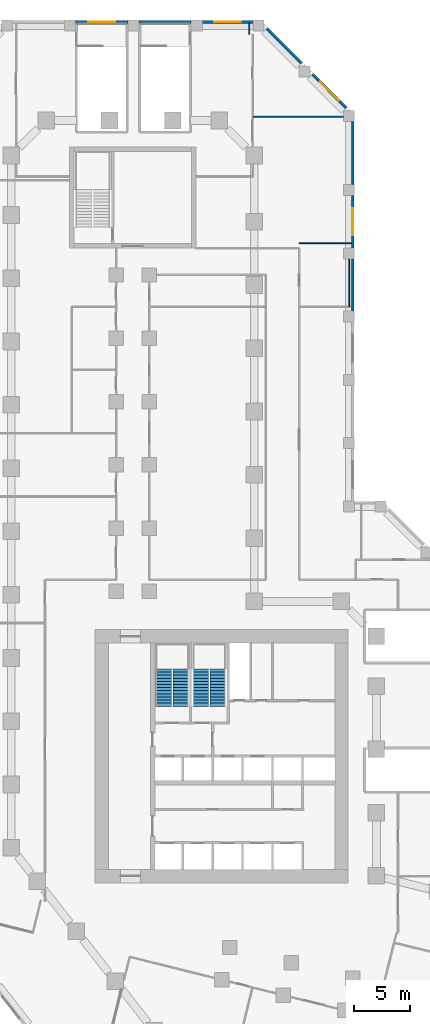
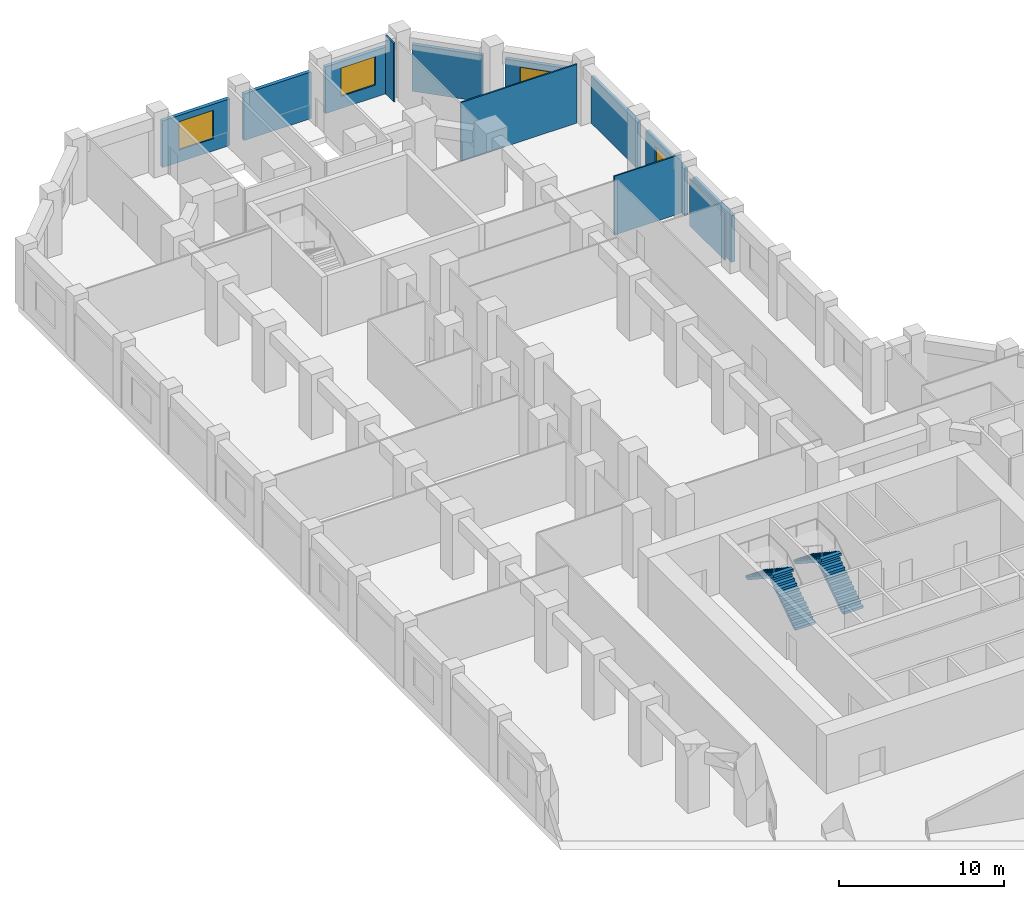
# One storey, part 11 of 13: 12 walls, 4 stair flights, 4 windows, 4 openings, 2 elements without a shape of their own.
"""IFC4 building model written with IfcOpenShell, lengths in metres."""

import ifcopenshell
import ifcopenshell.guid

model = None  # the IFC model being written
_history = None  # IfcOwnerHistory: only IFC2X3 demands one
_inside = {}  # id of a spatial element -> (the spatial element, [elements in it])
_under = {}  # id of a project, library or spatial element -> (it, [spatial elements below it])
_declared = {}  # id of a project -> (the project, [libraries it declares])
_typed = {}  # id of a type object -> (the type object, [elements of that type])
_made_of = {}  # id of a material, layer set ... -> (it, [elements and type objects made of it])


def new_model(schema):
    """Start an empty IFC model of exactly this schema.

    Asked for "IFC4X3", IfcOpenShell would pick the latest addendum, in which some entities
    have other attributes; the version numbers below select the first issue.
    IFC2X3 requires an IfcOwnerHistory on every rooted entity: one is made here for all.
    """
    global model, _history
    if schema == "IFC4X3":
        model = ifcopenshell.file(schema_version=(4, 3, 0, 0))
    else:
        model = ifcopenshell.file(schema=schema)
    _inside.clear()
    _under.clear()
    _declared.clear()
    _typed.clear()
    _made_of.clear()
    _history = None
    if model.schema == "IFC2X3":
        org = make("IfcOrganization", Name="unknown")
        user = make(
            "IfcPersonAndOrganization",
            ThePerson=make("IfcPerson", FamilyName="unknown"),
            TheOrganization=org,
        )
        app = make(
            "IfcApplication",
            ApplicationDeveloper=org,
            Version="unknown",
            ApplicationFullName="unknown",
            ApplicationIdentifier="unknown",
        )
        _history = make(
            "IfcOwnerHistory",
            OwningUser=user,
            OwningApplication=app,
            ChangeAction="ADDED",
            CreationDate=0,
        )
    return model


def make(cls, **values):
    """One entity of the class cls with the attributes given. An attribute that is None is left unset."""
    return model.create_entity(
        cls, **{name: value for name, value in values.items() if value is not None}
    )


def rooted(cls, **values):
    """An entity with a GlobalId (a new one), such as an element, a storey or a relation."""
    return make(cls, GlobalId=ifcopenshell.guid.new(), OwnerHistory=_history, **values)


def si_unit(unit_type, name, prefix=None):
    """IfcSIUnit, for example si_unit("LENGTHUNIT", "METRE", prefix="MILLI")."""
    return make("IfcSIUnit", UnitType=unit_type, Prefix=prefix, Name=name)


def assignment(units):
    """IfcUnitAssignment: the units of a project."""
    return None if units is None else make("IfcUnitAssignment", Units=units)


def point(xyz):
    """IfcCartesianPoint."""
    return None if xyz is None else make("IfcCartesianPoint", Coordinates=xyz)


def direction(xyz):
    """IfcDirection."""
    return None if xyz is None else make("IfcDirection", DirectionRatios=xyz)


def frame(location, z_axis=None, x_axis=None):
    """IfcAxis2Placement3D, a coordinate frame: its origin and axes. An axis left out is left unset."""
    return make(
        "IfcAxis2Placement3D",
        Location=point(location),
        Axis=direction(z_axis),
        RefDirection=direction(x_axis),
    )


def frame_2d(location, x_axis=None):
    """IfcAxis2Placement2D, a coordinate frame in the plane: its origin and x axis."""
    return make(
        "IfcAxis2Placement2D", Location=point(location), RefDirection=direction(x_axis)
    )


def origin():
    """The frame at (0, 0, 0) with its axes left unset."""
    return frame((0.0, 0.0, 0.0))


def place(relative_to, where):
    """IfcLocalPlacement: puts the frame where relative to a parent placement (None: the world)."""
    return make(
        "IfcLocalPlacement", PlacementRelTo=relative_to, RelativePlacement=where
    )


def context(
    kind, dimensions, precision=None, world=None, true_north=None, identifier=None
):
    """IfcGeometricRepresentationContext, for example the 3D "Model" context."""
    return make(
        "IfcGeometricRepresentationContext",
        ContextIdentifier=identifier,
        ContextType=kind,
        CoordinateSpaceDimension=dimensions,
        Precision=precision,
        WorldCoordinateSystem=world,
        TrueNorth=true_north,
    )


def subcontext(parent, identifier, kind, view, scale=None):
    """IfcGeometricRepresentationSubContext, for example "Body" below "Model"."""
    return make(
        "IfcGeometricRepresentationSubContext",
        ContextIdentifier=identifier,
        ContextType=kind,
        ParentContext=parent,
        TargetScale=scale,
        TargetView=view,
    )


def project(units=None, contexts=None):
    """IfcProject with its units and contexts."""
    return rooted(
        "IfcProject",
        Name="project",
        RepresentationContexts=contexts,
        UnitsInContext=assignment(units),
    )


def spatial(cls, under=None, at=None, **own):
    """A site, building, storey or space (cls), placed at a placement, below another one or the project."""
    s = rooted(cls, ObjectPlacement=at, **own)
    if under is not None:
        _under.setdefault(under.id(), (under, []))[1].append(s)
    return s


def polyline(points):
    """IfcPolyline through the points."""
    return make("IfcPolyline", Points=[point(p) for p in points])


def profile(cls, at=None, kind="AREA", **sizes):
    """A parametric profile (cls). Its sizes go by their IFC names, for example OverallWidth=200.0."""
    return make(cls, ProfileType=kind, Position=at, **sizes)


def rectangle(**sizes):
    """IfcRectangleProfileDef."""
    return profile("IfcRectangleProfileDef", **sizes)


def outline(outer, holes=None, kind="AREA"):
    """IfcArbitraryClosedProfileDef: a profile drawn as a closed curve; with holes, ...WithVoids."""
    if holes is None:
        return make("IfcArbitraryClosedProfileDef", ProfileType=kind, OuterCurve=outer)
    return make(
        "IfcArbitraryProfileDefWithVoids",
        ProfileType=kind,
        OuterCurve=outer,
        InnerCurves=holes,
    )


def extrude(swept, where, along, depth):
    """IfcExtrudedAreaSolid: the profile swept, set in the frame where, extruded along a direction by depth."""
    return make(
        "IfcExtrudedAreaSolid",
        SweptArea=swept,
        Position=where,
        ExtrudedDirection=direction(along),
        Depth=depth,
    )


def shape(context_of_items, identifier, shape_type, items):
    """IfcShapeRepresentation: the items that make up one representation, for example the "Body"."""
    return make(
        "IfcShapeRepresentation",
        ContextOfItems=context_of_items,
        RepresentationIdentifier=identifier,
        RepresentationType=shape_type,
        Items=items,
    )


def material(Name=None, Category=None):
    """IfcMaterial."""
    return make("IfcMaterial", Name=Name, Category=Category)


def layer(
    of_material, thickness, ventilated=None, Name=None, Category=None, Priority=None
):
    """IfcMaterialLayer: one layer of a wall or slab, of a material (None: an air gap)."""
    return make(
        "IfcMaterialLayer",
        Material=of_material,
        LayerThickness=thickness,
        IsVentilated=ventilated,
        Name=Name,
        Category=Category,
        Priority=Priority,
    )


def layer_set(layers, Name=None):
    """IfcMaterialLayerSet."""
    return make("IfcMaterialLayerSet", MaterialLayers=layers, LayerSetName=Name)


def made_of(thing, what):
    """Note that an element or type object is made of a material, layer set ...; save() writes the relation."""
    if what is not None:
        _made_of.setdefault(what.id(), (what, []))[1].append(thing)
    return thing


def type_object(cls, material=None, **own):
    """A type object (cls), such as IfcWallType, which elements share."""
    return made_of(rooted(cls, **own), material)


def element(
    cls,
    number,
    at=None,
    inside=None,
    cuts=None,
    type_object=None,
    material=None,
    context=None,
    identifier="Body",
    shape_type=None,
    held_by="IfcProductDefinitionShape",
    body=None,
    shapes=None,
    **own,
):
    """One element of the class cls, such as IfcWall. Its Tag is "e" and its number.

    at: its placement. inside: the storey or other place that contains it. cuts: it is an
    opening in that element (IfcRelVoidsElement). A single representation is given by context,
    identifier, shape_type and body (its items); several are given by shapes. held_by: the class
    of the entity that holds the representations. save() writes the other relations.
    """
    e = rooted(cls, Tag="e%d" % number, ObjectPlacement=at, **own)
    if body is not None:
        shapes = [shape(context, identifier, shape_type, body)]
    if shapes is not None:
        e.Representation = make(held_by, Representations=shapes)
    if inside is not None:
        _inside.setdefault(inside.id(), (inside, []))[1].append(e)
    if cuts is not None:
        rooted(
            "IfcRelVoidsElement", RelatingBuildingElement=cuts, RelatedOpeningElement=e
        )
    if type_object is not None:
        _typed.setdefault(type_object.id(), (type_object, []))[1].append(e)
    return made_of(e, material)


def fill(opening, filler):
    """IfcRelFillsElement: the door or window that sits in an opening."""
    return rooted(
        "IfcRelFillsElement",
        RelatingOpeningElement=opening,
        RelatedBuildingElement=filler,
    )


def aggregate(whole, parts):
    """IfcRelAggregates: a whole, such as a stair, and the parts it consists of."""
    return rooted("IfcRelAggregates", RelatingObject=whole, RelatedObjects=parts)


def save(model, path):
    """Write the relations noted so far, then the file.

    IfcRelAggregates (storeys below a building ...), IfcRelContainedInSpatialStructure (elements
    in a storey), IfcRelDefinesByType, IfcRelAssociatesMaterial and IfcRelDeclares: one each for
    every whole, place, type object, material and project.
    """
    for whole, parts in _under.values():
        aggregate(whole, parts)
    for where, things in _inside.values():
        rooted(
            "IfcRelContainedInSpatialStructure",
            RelatedElements=things,
            RelatingStructure=where,
        )
    for kind, things in _typed.values():
        rooted("IfcRelDefinesByType", RelatedObjects=things, RelatingType=kind)
    for what, things in _made_of.values():
        rooted("IfcRelAssociatesMaterial", RelatedObjects=things, RelatingMaterial=what)
    for by, libraries in _declared.values():
        rooted("IfcRelDeclares", RelatingContext=by, RelatedDefinitions=libraries)
    model.write(path)


model = new_model("IFC4")

# Units and contexts
model_context = context("Model", 3, precision=1e-05, world=origin(), true_north=direction((0.0, 1.0)))
body_context = subcontext(model_context, "Body", "Model", "MODEL_VIEW")
ifc_project = project(units=[si_unit("LENGTHUNIT", "METRE"), si_unit("AREAUNIT", "SQUARE_METRE"), si_unit("VOLUMEUNIT", "CUBIC_METRE"), si_unit("PLANEANGLEUNIT", "RADIAN"), si_unit("MASSUNIT", "GRAM", prefix="KILO")], contexts=[model_context])

# Site, building, storey
site_placement = place(None, origin())
site = spatial("IfcSite", under=ifc_project, at=site_placement, CompositionType="ELEMENT")
building_placement = place(site_placement, origin())
building = spatial("IfcBuilding", under=site, at=building_placement, Name="Meshkara Civic Tower", CompositionType="ELEMENT")
storey_placement = place(building_placement, frame((0.0, 0.0, 28.199951171875)))
storey = spatial("IfcBuildingStorey", under=building, at=storey_placement, Name="L05", CompositionType="ELEMENT", Elevation=28.199951171875)

# Wall
ifc_material_1 = material(Name="Corridor wall 100")
ifc_layer_1 = layer(ifc_material_1, 0.10009765625)
ifc_layer_set_1 = layer_set([ifc_layer_1], Name="Corridor wall 100")
wall_type_1 = type_object("IfcWallType", Name="Corridor wall 100", PredefinedType="PARTITIONING", material=ifc_layer_set_1)
wall_1_placement = place(storey_placement, frame((21.89990234375, 90.52001953125, 0.0), z_axis=(0.0, 0.0, 1.0), x_axis=(0.0, 1.0, 0.0)))
element("IfcWall", 1, at=wall_1_placement, inside=storey, type_object=wall_type_1, Name="L05-R033", PredefinedType="PARTITIONING", context=body_context, shape_type="SweptSolid", body=[
    extrude(rectangle(XDim=1.0, YDim=0.10009765625, at=frame_2d((0.5, 0.0))), origin(), (0.0, 0.0, 1.0), 4.35009765625),
])

# Wall, opening, window
ifc_material_2 = material(Name="Stone cladding on insulated backing wall", Category="masonry")
ifc_layer_2 = layer(ifc_material_2, 0.25)
ifc_layer_set_2 = layer_set([ifc_layer_2], Name="PODIUM STONE WALL 250")
wall_type_2 = type_object("IfcWallType", Name="PODIUM STONE WALL 250", PredefinedType="SOLIDWALL", material=ifc_layer_set_2)
wall_2_placement = place(storey_placement, frame((30.6298828125, 83.885986328125, 0.0), z_axis=(0.0, 0.0, 1.0), x_axis=(-0.707078301545, 0.707135259681, 0.0)))
wall_2 = element("IfcWall", 2, at=wall_2_placement, inside=storey, type_object=wall_type_2, Name="Podium external wall", PredefinedType="SOLIDWALL", context=body_context, shape_type="SweptSolid", body=[
    extrude(rectangle(XDim=4.286376953125, YDim=0.25, at=frame_2d((2.14306640625, 0.0))), origin(), (0.0, 0.0, 1.0), 3.449951171875),
])
opening_1_placement = place(wall_2_placement, frame((0.943115234375, 0.0, 0.89990234375)))
opening_1 = element("IfcOpeningElement", 3, at=opening_1_placement, cuts=wall_2, Name="Opening PW10", PredefinedType="OPENING", context=body_context, shape_type="SweptSolid", body=[
    extrude(rectangle(XDim=2.39990234375, YDim=2.10009765625, at=frame_2d((1.199951171875, 1.050048828125))), frame((0.0, 0.135009765625, 0.0), z_axis=(0.0, -1.0, 0.0), x_axis=(1.0, 0.0, 0.0)), (0.0, 0.0, 1.0), 0.27001953125),
])
ifc_material_3 = material(Name="Tinted double glazing", Category="glass")
window_type = type_object("IfcWindowType", Name="PODIUM WINDOW 2400x2100", PartitioningType="DOUBLE_PANEL_VERTICAL", PredefinedType="WINDOW", material=ifc_material_3)
window_1_placement = place(opening_1_placement, origin())
window_1 = element("IfcWindow", 4, at=window_1_placement, inside=storey, type_object=window_type, Name="Podium window", OverallHeight=2.10009765625, OverallWidth=2.39990234375, PartitioningType="DOUBLE_PANEL_VERTICAL", PredefinedType="WINDOW", context=body_context, shape_type="SweptSolid", body=[
    extrude(rectangle(XDim=2.39990234375, YDim=2.10009765625, at=frame_2d((1.199951171875, 1.050048828125))), frame((0.0, 0.030029296875, 0.0), z_axis=(0.0, -1.0, 0.0), x_axis=(1.0, 0.0, 0.0)), (0.0, 0.0, 1.0), 0.06005859375),
])
fill(opening_1, window_1)

# Wall
wall_3_placement = place(storey_placement, frame((26.59912109375, 87.9169921875, 0.0), z_axis=(0.0, 0.0, 1.0), x_axis=(-0.707106781187, 0.707106781187, 0.0)))
element("IfcWall", 5, at=wall_3_placement, inside=storey, type_object=wall_type_2, Name="Podium external wall", PredefinedType="SOLIDWALL", context=body_context, shape_type="SweptSolid", body=[
    extrude(rectangle(XDim=4.430908203125, YDim=0.25, at=frame_2d((2.21533203125, 0.0))), origin(), (0.0, 0.0, 1.0), 3.449951171875),
])

# Wall, opening, window
wall_4_placement = place(storey_placement, frame((22.236083984375, 91.64501953125, 0.0), z_axis=(0.0, 0.0, 1.0), x_axis=(-1.0, 0.0, 0.0)))
wall_4 = element("IfcWall", 6, at=wall_4_placement, inside=storey, type_object=wall_type_2, Name="Podium external wall", PredefinedType="SOLIDWALL", context=body_context, shape_type="SweptSolid", body=[
    extrude(rectangle(XDim=4.572021484375, YDim=0.25, at=frame_2d((2.2861328125, 0.0))), origin(), (0.0, 0.0, 1.0), 3.449951171875),
])
opening_2_placement = place(wall_4_placement, frame((1.0859375, 0.0, 0.89990234375)))
opening_2 = element("IfcOpeningElement", 7, at=opening_2_placement, cuts=wall_4, Name="Opening PW10", PredefinedType="OPENING", context=body_context, shape_type="SweptSolid", body=[
    extrude(rectangle(XDim=2.39990234375, YDim=2.10009765625, at=frame_2d((1.199951171875, 1.050048828125))), frame((0.0, 0.135009765625, 0.0), z_axis=(0.0, -1.0, 0.0), x_axis=(1.0, 0.0, 0.0)), (0.0, 0.0, 1.0), 0.27001953125),
])
window_2_placement = place(opening_2_placement, origin())
window_2 = element("IfcWindow", 8, at=window_2_placement, inside=storey, type_object=window_type, Name="Podium window", OverallHeight=2.10009765625, OverallWidth=2.39990234375, PartitioningType="DOUBLE_PANEL_VERTICAL", PredefinedType="WINDOW", context=body_context, shape_type="SweptSolid", body=[
    extrude(rectangle(XDim=2.39990234375, YDim=2.10009765625, at=frame_2d((1.199951171875, 1.050048828125))), frame((0.0, 0.030029296875, 0.0), z_axis=(0.0, -1.0, 0.0), x_axis=(1.0, 0.0, 0.0)), (0.0, 0.0, 1.0), 0.06005859375),
])
fill(opening_2, window_2)

# Wall
wall_5_placement = place(storey_placement, frame((16.6640625, 91.64501953125, 0.0), z_axis=(0.0, 0.0, 1.0), x_axis=(-1.0, 0.0, 0.0)))
element("IfcWall", 9, at=wall_5_placement, inside=storey, type_object=wall_type_2, Name="Podium external wall", PredefinedType="SOLIDWALL", context=body_context, shape_type="SweptSolid", body=[
    extrude(rectangle(XDim=4.699951171875, YDim=0.25, at=frame_2d((2.35009765625, 0.0))), origin(), (0.0, 0.0, 1.0), 3.449951171875),
])

# Wall, opening, window
wall_6_placement = place(storey_placement, frame((10.964111328125, 91.64501953125, 0.0), z_axis=(0.0, 0.0, 1.0), x_axis=(-1.0, 0.0, 0.0)))
wall_6 = element("IfcWall", 10, at=wall_6_placement, inside=storey, type_object=wall_type_2, Name="Podium external wall", PredefinedType="SOLIDWALL", context=body_context, shape_type="SweptSolid", body=[
    extrude(rectangle(XDim=4.7001953125, YDim=0.25, at=frame_2d((2.35009765625, 0.0))), origin(), (0.0, 0.0, 1.0), 3.449951171875),
])
opening_3_placement = place(wall_6_placement, frame((1.14990234375, 0.0, 0.89990234375)))
opening_3 = element("IfcOpeningElement", 11, at=opening_3_placement, cuts=wall_6, Name="Opening PW10", PredefinedType="OPENING", context=body_context, shape_type="SweptSolid", body=[
    extrude(rectangle(XDim=2.39990234375, YDim=2.10009765625, at=frame_2d((1.199951171875, 1.050048828125))), frame((0.0, 0.135009765625, 0.0), z_axis=(0.0, -1.0, 0.0), x_axis=(1.0, 0.0, 0.0)), (0.0, 0.0, 1.0), 0.27001953125),
])
window_3_placement = place(opening_3_placement, origin())
window_3 = element("IfcWindow", 12, at=window_3_placement, inside=storey, type_object=window_type, Name="Podium window", OverallHeight=2.10009765625, OverallWidth=2.39990234375, PartitioningType="DOUBLE_PANEL_VERTICAL", PredefinedType="WINDOW", context=body_context, shape_type="SweptSolid", body=[
    extrude(rectangle(XDim=2.39990234375, YDim=2.10009765625, at=frame_2d((1.199951171875, 1.050048828125))), frame((0.0, 0.030029296875, 0.0), z_axis=(0.0, -1.0, 0.0), x_axis=(1.0, 0.0, 0.0)), (0.0, 0.0, 1.0), 0.06005859375),
])
fill(opening_3, window_3)

# Wall
wall_7_placement = place(storey_placement, frame((31.22509765625, 65.60009765625, 0.0), z_axis=(0.0, 0.0, 1.0), x_axis=(0.0, 1.0, 0.0)))
element("IfcWall", 13, at=wall_7_placement, inside=storey, type_object=wall_type_2, Name="Podium external wall", PredefinedType="SOLIDWALL", context=body_context, shape_type="SweptSolid", body=[
    extrude(rectangle(XDim=4.699951171875, YDim=0.25, at=frame_2d((2.35009765625, 0.0))), origin(), (0.0, 0.0, 1.0), 3.449951171875),
])

# Wall, opening, window
wall_8_placement = place(storey_placement, frame((31.22509765625, 71.300048828125, 0.0), z_axis=(0.0, 0.0, 1.0), x_axis=(0.0, 1.0, 0.0)))
wall_8 = element("IfcWall", 14, at=wall_8_placement, inside=storey, type_object=wall_type_2, Name="Podium external wall", PredefinedType="SOLIDWALL", context=body_context, shape_type="SweptSolid", body=[
    extrude(rectangle(XDim=4.699951171875, YDim=0.25, at=frame_2d((2.35009765625, 0.0))), origin(), (0.0, 0.0, 1.0), 3.449951171875),
])
opening_4_placement = place(wall_8_placement, frame((1.14990234375, 0.0, 0.89990234375)))
opening_4 = element("IfcOpeningElement", 15, at=opening_4_placement, cuts=wall_8, Name="Opening PW10", PredefinedType="OPENING", context=body_context, shape_type="SweptSolid", body=[
    extrude(rectangle(XDim=2.39990234375, YDim=2.10009765625, at=frame_2d((1.199951171875, 1.050048828125))), frame((0.0, 0.135009765625, 0.0), z_axis=(0.0, -1.0, 0.0), x_axis=(1.0, 0.0, 0.0)), (0.0, 0.0, 1.0), 0.27001953125),
])
window_4_placement = place(opening_4_placement, origin())
window_4 = element("IfcWindow", 16, at=window_4_placement, inside=storey, type_object=window_type, Name="Podium window", OverallHeight=2.10009765625, OverallWidth=2.39990234375, PartitioningType="DOUBLE_PANEL_VERTICAL", PredefinedType="WINDOW", context=body_context, shape_type="SweptSolid", body=[
    extrude(rectangle(XDim=2.39990234375, YDim=2.10009765625, at=frame_2d((1.199951171875, 1.050048828125))), frame((0.0, 0.030029296875, 0.0), z_axis=(0.0, -1.0, 0.0), x_axis=(1.0, 0.0, 0.0)), (0.0, 0.0, 1.0), 0.06005859375),
])
fill(opening_4, window_4)

# Walls
wall_9_placement = place(storey_placement, frame((31.22509765625, 77.0, 0.0), z_axis=(0.0, 0.0, 1.0), x_axis=(0.0, 1.0, 0.0)))
element("IfcWall", 17, at=wall_9_placement, inside=storey, type_object=wall_type_2, Name="Podium external wall", PredefinedType="SOLIDWALL", context=body_context, shape_type="SweptSolid", body=[
    extrude(rectangle(XDim=5.656005859375, YDim=0.25, at=frame_2d((2.828125, 0.0))), origin(), (0.0, 0.0, 1.0), 3.449951171875),
])
ifc_material_4 = material(Name="Partition 100")
ifc_layer_3 = layer(ifc_material_4, 0.10009765625)
ifc_layer_set_3 = layer_set([ifc_layer_3], Name="Partition 100")
wall_type_3 = type_object("IfcWallType", Name="Partition 100", PredefinedType="PARTITIONING", material=ifc_layer_set_3)
wall_10_placement = place(storey_placement, frame((26.39990234375, 71.699951171875, 0.0), z_axis=(0.0, 0.0, 1.0), x_axis=(1.0, 0.0, 0.0)))
element("IfcWall", 18, at=wall_10_placement, inside=storey, type_object=wall_type_3, Name="L05-R091", PredefinedType="PARTITIONING", context=body_context, shape_type="SweptSolid", body=[
    extrude(rectangle(XDim=4.7001953125, YDim=0.10009765625, at=frame_2d((2.35009765625, 0.0))), origin(), (0.0, 0.0, 1.0), 4.35009765625),
])
wall_11_placement = place(storey_placement, frame((30.3798828125, 83.10009765625, 0.0), z_axis=(0.0, 0.0, 1.0), x_axis=(-1.0, 0.0, 0.0)))
element("IfcWall", 19, at=wall_11_placement, inside=storey, type_object=wall_type_3, Name="L05-R092", PredefinedType="PARTITIONING", context=body_context, shape_type="SweptSolid", body=[
    extrude(rectangle(XDim=8.1298828125, YDim=0.10009765625, at=frame_2d((4.06494140625, 0.0))), origin(), (0.0, 0.0, 1.0), 4.35009765625),
])
wall_12_placement = place(storey_placement, frame((30.89990234375, 70.280029296875, 0.0), z_axis=(0.0, 0.0, 1.0), x_axis=(0.0, -1.0, 0.0)))
element("IfcWall", 20, at=wall_12_placement, inside=storey, type_object=wall_type_3, Name="L05-R094", PredefinedType="PARTITIONING", context=body_context, shape_type="SweptSolid", body=[
    extrude(rectangle(XDim=4.280029296875, YDim=0.10009765625, at=frame_2d((2.14013671875, 0.0))), origin(), (0.0, 0.0, 1.0), 3.449951171875),
])

# Stair, stair flights
ifc_material_5 = material(Name="Precast concrete C40/50", Category="concrete")
stair_type = type_object("IfcStairType", Name="Exit stair half-turn 26 risers precast", PredefinedType="HALF_TURN_STAIR", material=ifc_material_5)
stair_1_placement = place(storey_placement, origin())
stair_1 = element("IfcStair", 21, at=stair_1_placement, inside=storey, type_object=stair_type, Name="L05 exit stair 1", PredefinedType="HALF_TURN_STAIR")
ifc_material_6 = material(Name="Precast concrete C40/50", Category="concrete")
stair_flight_type = type_object("IfcStairFlightType", Name="Exit stair flight 13 risers precast", PredefinedType="STRAIGHT", material=ifc_material_6)
stair_flight_1_placement = place(storey_placement, frame((15.72509765625, 30.0, 0.0), z_axis=(0.0, 0.0, 1.0), x_axis=(0.0, 1.0, 0.0)))
stair_flight_1 = element("IfcStairFlight", 22, at=stair_flight_1_placement, type_object=stair_flight_type, Name="ST1 flight 1", NumberOfRisers=13, NumberOfTreads=12, PredefinedType="STRAIGHT", RiserHeight=0.184615385, TreadLength=0.28, context=body_context, shape_type="SweptSolid", body=[
    extrude(outline(polyline([(0.0, 0.0), (0.0, 0.1845703125), (0.280029296875, 0.1845703125), (0.280029296875, 0.369140625), (0.56005859375, 0.369140625), (0.56005859375, 0.553955078125), (0.840087890625, 0.553955078125), (0.840087890625, 0.738525390625), (1.1201171875, 0.738525390625), (1.1201171875, 0.923095703125), (1.39990234375, 0.923095703125), (1.39990234375, 1.107666015625), (1.679931640625, 1.107666015625), (1.679931640625, 1.292236328125), (1.9599609375, 1.292236328125), (1.9599609375, 1.476806640625), (2.239990234375, 1.476806640625), (2.239990234375, 1.66162109375), (2.52001953125, 1.66162109375), (2.52001953125, 1.84619140625), (2.800048828125, 1.84619140625), (2.800048828125, 2.03076171875), (3.080078125, 2.03076171875), (3.080078125, 2.21533203125), (3.360107421875, 2.21533203125), (3.360107421875, 2.39990234375), (3.360107421875, 2.035888671875), (0.272216796875, 0.0), (0.0, 0.0)])), frame((0.0, 0.699951171875, 0.0), z_axis=(0.0, -1.0, 0.0), x_axis=(1.0, 0.0, 0.0)), (0.0, 0.0, 1.0), 1.39990234375),
])
stair_flight_2_placement = place(storey_placement, frame((14.175048828125, 33.360107421875, 2.400146484375), z_axis=(0.0, 0.0, 1.0), x_axis=(0.0, -1.0, 0.0)))
stair_flight_2 = element("IfcStairFlight", 23, at=stair_flight_2_placement, type_object=stair_flight_type, Name="ST1 flight 2", NumberOfRisers=13, NumberOfTreads=12, PredefinedType="STRAIGHT", RiserHeight=0.184615385, TreadLength=0.28, context=body_context, shape_type="SweptSolid", body=[
    extrude(outline(polyline([(0.0, 0.0), (0.0, 0.1845703125), (0.280029296875, 0.1845703125), (0.280029296875, 0.369140625), (0.56005859375, 0.369140625), (0.56005859375, 0.553955078125), (0.840087890625, 0.553955078125), (0.840087890625, 0.738525390625), (1.1201171875, 0.738525390625), (1.1201171875, 0.923095703125), (1.39990234375, 0.923095703125), (1.39990234375, 1.107666015625), (1.679931640625, 1.107666015625), (1.679931640625, 1.292236328125), (1.9599609375, 1.292236328125), (1.9599609375, 1.476806640625), (2.239990234375, 1.476806640625), (2.239990234375, 1.66162109375), (2.52001953125, 1.66162109375), (2.52001953125, 1.84619140625), (2.800048828125, 1.84619140625), (2.800048828125, 2.03076171875), (3.080078125, 2.03076171875), (3.080078125, 2.21533203125), (3.360107421875, 2.21533203125), (3.360107421875, 2.39990234375), (3.360107421875, 2.035888671875), (0.272216796875, 0.0), (0.0, 0.0)])), frame((0.0, 0.699951171875, 0.0), z_axis=(0.0, -1.0, 0.0), x_axis=(1.0, 0.0, 0.0)), (0.0, 0.0, 1.0), 1.39990234375),
])
aggregate(stair_1, [stair_flight_1, stair_flight_2])

stair_2_placement = place(storey_placement, origin())
stair_2 = element("IfcStair", 24, at=stair_2_placement, inside=storey, type_object=stair_type, Name="L05 exit stair 2", PredefinedType="HALF_TURN_STAIR")
stair_flight_3_placement = place(storey_placement, frame((19.074951171875, 30.0, 0.0), z_axis=(0.0, 0.0, 1.0), x_axis=(0.0, 1.0, 0.0)))
stair_flight_3 = element("IfcStairFlight", 25, at=stair_flight_3_placement, type_object=stair_flight_type, Name="ST2 flight 1", NumberOfRisers=13, NumberOfTreads=12, PredefinedType="STRAIGHT", RiserHeight=0.184615385, TreadLength=0.28, context=body_context, shape_type="SweptSolid", body=[
    extrude(outline(polyline([(0.0, 0.0), (0.0, 0.1845703125), (0.280029296875, 0.1845703125), (0.280029296875, 0.369140625), (0.56005859375, 0.369140625), (0.56005859375, 0.553955078125), (0.840087890625, 0.553955078125), (0.840087890625, 0.738525390625), (1.1201171875, 0.738525390625), (1.1201171875, 0.923095703125), (1.39990234375, 0.923095703125), (1.39990234375, 1.107666015625), (1.679931640625, 1.107666015625), (1.679931640625, 1.292236328125), (1.9599609375, 1.292236328125), (1.9599609375, 1.476806640625), (2.239990234375, 1.476806640625), (2.239990234375, 1.66162109375), (2.52001953125, 1.66162109375), (2.52001953125, 1.84619140625), (2.800048828125, 1.84619140625), (2.800048828125, 2.03076171875), (3.080078125, 2.03076171875), (3.080078125, 2.21533203125), (3.360107421875, 2.21533203125), (3.360107421875, 2.39990234375), (3.360107421875, 2.035888671875), (0.272216796875, 0.0), (0.0, 0.0)])), frame((0.0, 0.699951171875, 0.0), z_axis=(0.0, -1.0, 0.0), x_axis=(1.0, 0.0, 0.0)), (0.0, 0.0, 1.0), 1.39990234375),
])
stair_flight_4_placement = place(storey_placement, frame((17.52490234375, 33.360107421875, 2.400146484375), z_axis=(0.0, 0.0, 1.0), x_axis=(0.0, -1.0, 0.0)))
stair_flight_4 = element("IfcStairFlight", 26, at=stair_flight_4_placement, type_object=stair_flight_type, Name="ST2 flight 2", NumberOfRisers=13, NumberOfTreads=12, PredefinedType="STRAIGHT", RiserHeight=0.184615385, TreadLength=0.28, context=body_context, shape_type="SweptSolid", body=[
    extrude(outline(polyline([(0.0, 0.0), (0.0, 0.1845703125), (0.280029296875, 0.1845703125), (0.280029296875, 0.369140625), (0.56005859375, 0.369140625), (0.56005859375, 0.553955078125), (0.840087890625, 0.553955078125), (0.840087890625, 0.738525390625), (1.1201171875, 0.738525390625), (1.1201171875, 0.923095703125), (1.39990234375, 0.923095703125), (1.39990234375, 1.107666015625), (1.679931640625, 1.107666015625), (1.679931640625, 1.292236328125), (1.9599609375, 1.292236328125), (1.9599609375, 1.476806640625), (2.239990234375, 1.476806640625), (2.239990234375, 1.66162109375), (2.52001953125, 1.66162109375), (2.52001953125, 1.84619140625), (2.800048828125, 1.84619140625), (2.800048828125, 2.03076171875), (3.080078125, 2.03076171875), (3.080078125, 2.21533203125), (3.360107421875, 2.21533203125), (3.360107421875, 2.39990234375), (3.360107421875, 2.035888671875), (0.272216796875, 0.0), (0.0, 0.0)])), frame((0.0, 0.699951171875, 0.0), z_axis=(0.0, -1.0, 0.0), x_axis=(1.0, 0.0, 0.0)), (0.0, 0.0, 1.0), 1.39990234375),
])
aggregate(stair_2, [stair_flight_3, stair_flight_4])

save(model, "model.ifc")
